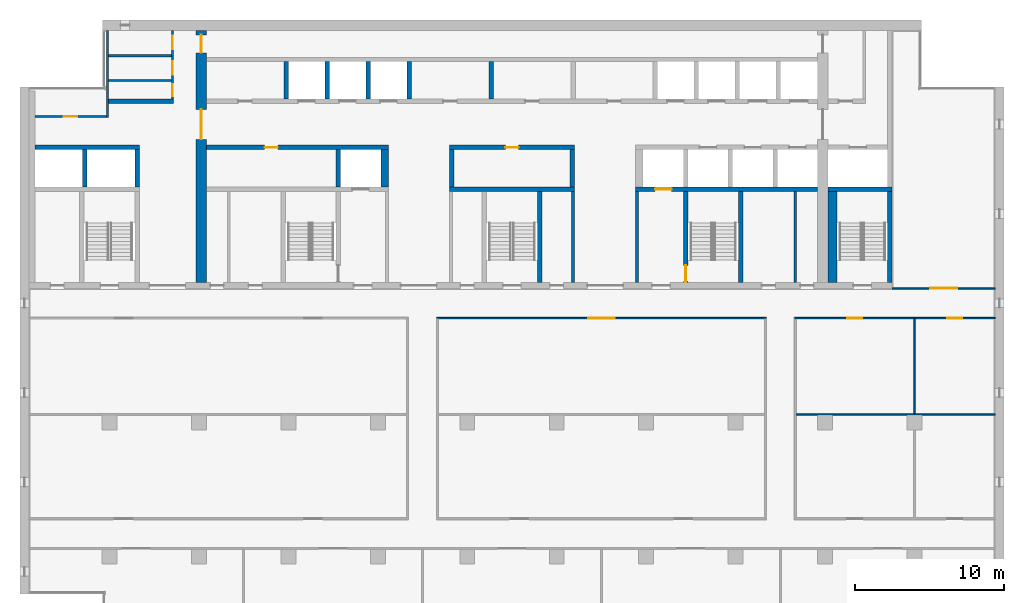
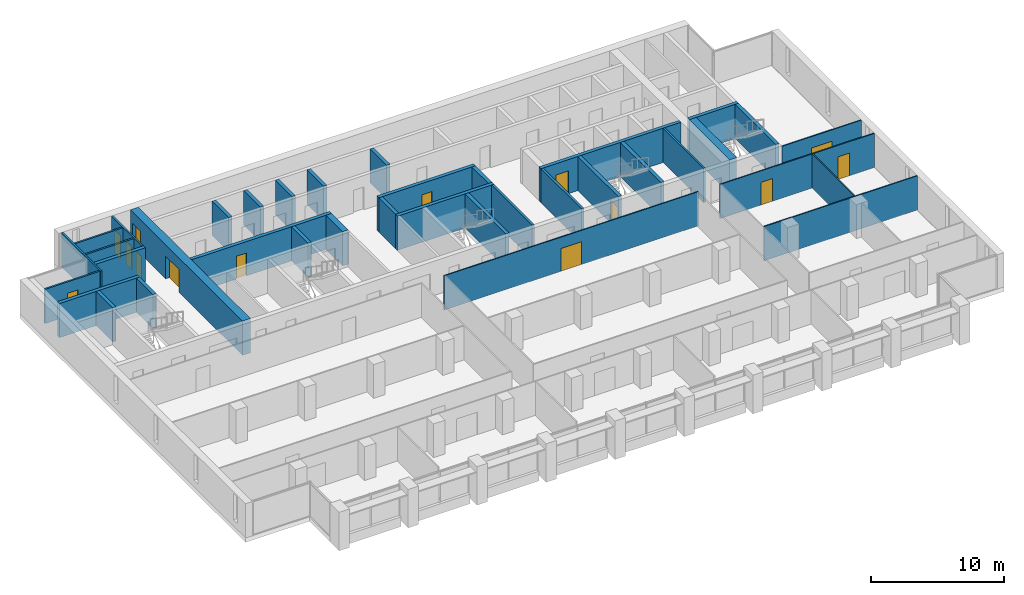
# One storey, part 10 of 16: 37 walls, 14 doors, 14 openings.
"""IFC4 building model written with IfcOpenShell, lengths in metres."""

from ifc_helpers import new_model, si_unit, direction, frame, frame_2d, origin, place, context, subcontext, project, spatial, rectangle, extrude, material, layer, layer_set, type_object, element, fill, save


model = new_model("IFC4")

# Units and contexts
model_context = context("Model", 3, precision=1e-05, world=origin(), true_north=direction((0.0, 1.0)))
body_context = subcontext(model_context, "Body", "Model", "MODEL_VIEW")
ifc_project = project(units=[si_unit("LENGTHUNIT", "METRE"), si_unit("AREAUNIT", "SQUARE_METRE"), si_unit("VOLUMEUNIT", "CUBIC_METRE"), si_unit("PLANEANGLEUNIT", "RADIAN"), si_unit("MASSUNIT", "GRAM", prefix="KILO")], contexts=[model_context])

# Site, building, storey
site_placement = place(None, origin())
site = spatial("IfcSite", under=ifc_project, at=site_placement, CompositionType="ELEMENT")
building_placement = place(site_placement, origin())
building = spatial("IfcBuilding", under=site, at=building_placement, Name="Calvaro Tower", CompositionType="ELEMENT")
storey_placement = place(building_placement, frame((0.0, 0.0, 223.0)))
storey = spatial("IfcBuildingStorey", under=building, at=storey_placement, Name="L56", CompositionType="ELEMENT", Elevation=223.0)

# Walls
ifc_material_1 = material(Name="Blockwork partition", Category="masonry")
ifc_layer_1 = layer(ifc_material_1, 0.14990234375)
ifc_layer_set_1 = layer_set([ifc_layer_1], Name="Blockwork partition")
wall_type_1 = type_object("IfcWallType", Name="Core partition 150 EI 60", PredefinedType="PARTITIONING", material=ifc_layer_set_1)
wall_1_placement = place(storey_placement, frame((58.0, 28.39990234375, 0.0), z_axis=(0.0, 0.0, 1.0), x_axis=(0.0, 1.0, 0.0)))
element("IfcWall", 1, at=wall_1_placement, inside=storey, type_object=wall_type_1, Name="Core partition", PredefinedType="PARTITIONING", context=body_context, shape_type="SweptSolid", body=[
    extrude(rectangle(XDim=6.10009765625, YDim=0.14990234375, at=frame_2d((3.050048828125, 0.0))), origin(), (0.0, 0.0, 1.0), 3.14990234375),
])
for number, where, z_axis, x_axis, name in (
    (2, (11.949951171875, 41.949951171875, 0.0), (0.0, 0.0, 1.0), (1.0, 0.0, 0.0), "Core partition"),
    (3, (11.949951171875, 43.60009765625, 0.0), (0.0, 0.0, 1.0), (1.0, 0.0, 0.0), "Core partition"),
):
    element("IfcWall", number, at=place(storey_placement, frame(where, z_axis=z_axis, x_axis=x_axis)), inside=storey, type_object=wall_type_1, Name=name, PredefinedType="PARTITIONING", context=body_context, shape_type="SweptSolid", body=[
        extrude(rectangle(XDim=4.199951171875, YDim=0.14990234375, at=frame_2d((2.10009765625, 0.0))), origin(), (0.0, 0.0, 1.0), 3.14990234375),
    ])

# Wall, openings, doors
ifc_material_2 = material(Name="Blockwork partition", Category="masonry")
ifc_layer_2 = layer(ifc_material_2, 0.14990234375)
ifc_layer_set_2 = layer_set([ifc_layer_2], Name="Blockwork partition")
wall_type_2 = type_object("IfcWallType", Name="Core partition 150 REI 120", PredefinedType="PARTITIONING", material=ifc_layer_set_2)
wall_2_placement = place(storey_placement, frame((16.22509765625, 45.300048828125, 0.0), z_axis=(0.0, 0.0, 1.0), x_axis=(0.0, -1.0, 0.0)))
wall_2 = element("IfcWall", 4, at=wall_2_placement, inside=storey, type_object=wall_type_2, Name="Core partition", PredefinedType="PARTITIONING", context=body_context, shape_type="SweptSolid", body=[
    extrude(rectangle(XDim=4.60009765625, YDim=0.14990234375, at=frame_2d((2.300048828125, 0.0))), origin(), (0.0, 0.0, 1.0), 3.14990234375),
])
opening_1_placement = place(wall_2_placement, frame((3.612548828125, 0.0, 0.0)))
opening_1 = element("IfcOpeningElement", 5, at=opening_1_placement, cuts=wall_2, Name="Opening RD8C", PredefinedType="OPENING", context=body_context, shape_type="SweptSolid", body=[
    extrude(rectangle(XDim=0.800048828125, YDim=2.10009765625, at=frame_2d((0.39990234375, 1.050048828125))), frame((0.0, 0.0849609375, 0.0), z_axis=(0.0, -1.0, 0.0), x_axis=(1.0, 0.0, 0.0)), (0.0, 0.0, 1.0), 0.169921875),
])
opening_2_placement = place(wall_2_placement, frame((2.074951171875, 0.0, 0.0)))
opening_2 = element("IfcOpeningElement", 6, at=opening_2_placement, cuts=wall_2, Name="Opening RD9", PredefinedType="OPENING", context=body_context, shape_type="SweptSolid", body=[
    extrude(rectangle(XDim=0.89990234375, YDim=2.10009765625, at=frame_2d((0.449951171875, 1.050048828125))), frame((0.0, 0.0849609375, 0.0), z_axis=(0.0, -1.0, 0.0), x_axis=(1.0, 0.0, 0.0)), (0.0, 0.0, 1.0), 0.169921875),
])
opening_3_placement = place(wall_2_placement, frame((0.362548828125, 0.0, 0.0)))
opening_3 = element("IfcOpeningElement", 7, at=opening_3_placement, cuts=wall_2, Name="Opening RD9", PredefinedType="OPENING", context=body_context, shape_type="SweptSolid", body=[
    extrude(rectangle(XDim=0.89990234375, YDim=2.10009765625, at=frame_2d((0.449951171875, 1.050048828125))), frame((0.0, 0.0849609375, 0.0), z_axis=(0.0, -1.0, 0.0), x_axis=(1.0, 0.0, 0.0)), (0.0, 0.0, 1.0), 0.169921875),
])
ifc_material_3 = material(Name="Steel door set", Category="steel")
door_type_1 = type_object("IfcDoorType", Name="Room door 800 FD30", OperationType="SINGLE_SWING_LEFT", PredefinedType="DOOR", material=ifc_material_3)
door_1_placement = place(opening_1_placement, origin())
door_1 = element("IfcDoor", 8, at=door_1_placement, inside=storey, type_object=door_type_1, Name="Room door", OperationType="SINGLE_SWING_RIGHT", OverallHeight=2.10009765625, OverallWidth=0.800048828125, PredefinedType="DOOR", context=body_context, shape_type="SweptSolid", body=[
    extrude(rectangle(XDim=0.800048828125, YDim=2.10009765625, at=frame_2d((0.39990234375, 1.050048828125))), frame((0.0, 0.02490234375, 0.0), z_axis=(0.0, -1.0, 0.0), x_axis=(1.0, 0.0, 0.0)), (0.0, 0.0, 1.0), 0.050048828125),
])
fill(opening_1, door_1)
ifc_material_4 = material(Name="Steel door set", Category="steel")
door_type_2 = type_object("IfcDoorType", Name="Room door 900", OperationType="SINGLE_SWING_LEFT", PredefinedType="DOOR", material=ifc_material_4)
door_2_placement = place(opening_2_placement, origin())
door_2 = element("IfcDoor", 9, at=door_2_placement, inside=storey, type_object=door_type_2, Name="Room door", OperationType="SINGLE_SWING_RIGHT", OverallHeight=2.10009765625, OverallWidth=0.89990234375, PredefinedType="DOOR", context=body_context, shape_type="SweptSolid", body=[
    extrude(rectangle(XDim=0.89990234375, YDim=2.10009765625, at=frame_2d((0.449951171875, 1.050048828125))), frame((0.0, 0.02490234375, 0.0), z_axis=(0.0, -1.0, 0.0), x_axis=(1.0, 0.0, 0.0)), (0.0, 0.0, 1.0), 0.050048828125),
])
fill(opening_2, door_2)
door_3_placement = place(opening_3_placement, origin())
door_3 = element("IfcDoor", 10, at=door_3_placement, inside=storey, type_object=door_type_2, Name="Room door", OperationType="SINGLE_SWING_RIGHT", OverallHeight=2.10009765625, OverallWidth=0.89990234375, PredefinedType="DOOR", context=body_context, shape_type="SweptSolid", body=[
    extrude(rectangle(XDim=0.89990234375, YDim=2.10009765625, at=frame_2d((0.449951171875, 1.050048828125))), frame((0.0, 0.02490234375, 0.0), z_axis=(0.0, -1.0, 0.0), x_axis=(1.0, 0.0, 0.0)), (0.0, 0.0, 1.0), 0.050048828125),
])
fill(opening_3, door_3)

# Wall
wall_3_placement = place(storey_placement, frame((11.875, 39.449951171875, 0.0), z_axis=(0.0, 0.0, 1.0), x_axis=(0.0, 1.0, 0.0)))
element("IfcWall", 11, at=wall_3_placement, inside=storey, type_object=wall_type_2, Name="Core partition", PredefinedType="PARTITIONING", context=body_context, shape_type="SweptSolid", body=[
    extrude(rectangle(XDim=5.85009765625, YDim=0.14990234375, at=frame_2d((2.925048828125, 0.0))), origin(), (0.0, 0.0, 1.0), 3.14990234375),
])

# Wall, opening, door
wall_4_placement = place(storey_placement, frame((7.0, 39.52490234375, 0.0), z_axis=(0.0, 0.0, 1.0), x_axis=(1.0, 0.0, 0.0)))
wall_4 = element("IfcWall", 12, at=wall_4_placement, inside=storey, type_object=wall_type_2, Name="Core partition", PredefinedType="PARTITIONING", context=body_context, shape_type="SweptSolid", body=[
    extrude(rectangle(XDim=4.800048828125, YDim=0.14990234375, at=frame_2d((2.39990234375, 0.0))), origin(), (0.0, 0.0, 1.0), 3.14990234375),
])
opening_4_placement = place(wall_4_placement, frame((1.949951171875, 0.0, 0.0)))
opening_4 = element("IfcOpeningElement", 13, at=opening_4_placement, cuts=wall_4, Name="Opening RD9", PredefinedType="OPENING", context=body_context, shape_type="SweptSolid", body=[
    extrude(rectangle(XDim=0.89990234375, YDim=2.10009765625, at=frame_2d((0.449951171875, 1.050048828125))), frame((0.0, 0.0849609375, 0.0), z_axis=(0.0, -1.0, 0.0), x_axis=(1.0, 0.0, 0.0)), (0.0, 0.0, 1.0), 0.169921875),
])
door_4_placement = place(opening_4_placement, origin())
door_4 = element("IfcDoor", 14, at=door_4_placement, inside=storey, type_object=door_type_2, Name="Room door", OperationType="SINGLE_SWING_LEFT", OverallHeight=2.10009765625, OverallWidth=0.89990234375, PredefinedType="DOOR", context=body_context, shape_type="SweptSolid", body=[
    extrude(rectangle(XDim=0.89990234375, YDim=2.10009765625, at=frame_2d((0.449951171875, 1.050048828125))), frame((0.0, 0.02490234375, 0.0), z_axis=(0.0, -1.0, 0.0), x_axis=(1.0, 0.0, 0.0)), (0.0, 0.0, 1.0), 0.050048828125),
])
fill(opening_4, door_4)

# Walls
ifc_material_5 = material(Name="Blockwork partition", Category="masonry")
ifc_layer_3 = layer(ifc_material_5, 0.199951171875)
ifc_layer_set_3 = layer_set([ifc_layer_3], Name="Blockwork partition")
wall_type_3 = type_object("IfcWallType", Name="Core partition 200 REI 120", PredefinedType="PARTITIONING", material=ifc_layer_set_3)
for number, where, z_axis, x_axis, name in (
    (15, (43.10009765625, 28.39990234375, 0.0), (0.0, 0.0, 1.0), (0.0, 1.0, 0.0), "Core partition"),
    (16, (47.39990234375, 28.39990234375, 0.0), (0.0, 0.0, 1.0), (0.0, 1.0, 0.0), "Core partition"),
):
    element("IfcWall", number, at=place(storey_placement, frame(where, z_axis=z_axis, x_axis=x_axis)), inside=storey, type_object=wall_type_3, Name=name, PredefinedType="PARTITIONING", context=body_context, shape_type="SweptSolid", body=[
        extrude(rectangle(XDim=6.10009765625, YDim=0.199951171875, at=frame_2d((3.050048828125, 0.0))), origin(), (0.0, 0.0, 1.0), 3.14990234375),
    ])
ifc_material_6 = material(Name="Blockwork partition", Category="masonry")
ifc_layer_4 = layer(ifc_material_6, 0.300048828125)
ifc_layer_set_4 = layer_set([ifc_layer_4], Name="Blockwork partition")
wall_type_4 = type_object("IfcWallType", Name="Core partition 300 REI 120", PredefinedType="PARTITIONING", material=ifc_layer_set_4)
wall_5_placement = place(storey_placement, frame((11.949951171875, 40.550048828125, 0.0), z_axis=(0.0, 0.0, 1.0), x_axis=(1.0, 0.0, 0.0)))
element("IfcWall", 17, at=wall_5_placement, inside=storey, type_object=wall_type_4, Name="Core partition", PredefinedType="PARTITIONING", context=body_context, shape_type="SweptSolid", body=[
    extrude(rectangle(XDim=4.35009765625, YDim=0.300048828125, at=frame_2d((2.175048828125, 0.0))), origin(), (0.0, 0.0, 1.0), 3.14990234375),
])
wall_6_placement = place(storey_placement, frame((37.60009765625, 40.699951171875, 0.0), z_axis=(0.0, 0.0, 1.0), x_axis=(0.0, 1.0, 0.0)))
element("IfcWall", 18, at=wall_6_placement, inside=storey, type_object=wall_type_4, Name="Core partition", PredefinedType="PARTITIONING", context=body_context, shape_type="SweptSolid", body=[
    extrude(rectangle(XDim=2.5, YDim=0.300048828125, at=frame_2d((1.25, 0.0))), origin(), (0.0, 0.0, 1.0), 3.14990234375),
])
ifc_material_7 = material(Name="Concrete C50/60", Category="concrete")
ifc_layer_5 = layer(ifc_material_7, 0.300048828125)
ifc_layer_set_5 = layer_set([ifc_layer_5], Name="Concrete C50/60")
wall_type_5 = type_object("IfcWallType", Name="Core wall C50/60 300", PredefinedType="SHEAR", material=ifc_layer_set_5)
wall_7_placement = place(storey_placement, frame((40.85009765625, 28.39990234375, 0.0), z_axis=(0.0, 0.0, 1.0), x_axis=(0.0, 1.0, 0.0)))
element("IfcWall", 19, at=wall_7_placement, inside=storey, type_object=wall_type_5, Name="Core wall, stair enclosure", PredefinedType="SHEAR", context=body_context, shape_type="SweptSolid", body=[
    extrude(rectangle(XDim=6.10009765625, YDim=0.300048828125, at=frame_2d((3.050048828125, 0.0))), origin(), (0.0, 0.0, 1.0), 3.14990234375),
])

# Wall, opening, door
wall_8_placement = place(storey_placement, frame((50.64990234375, 34.5, 0.0), z_axis=(0.0, 0.0, 1.0), x_axis=(0.0, -1.0, 0.0)))
wall_8 = element("IfcWall", 20, at=wall_8_placement, inside=storey, type_object=wall_type_5, Name="Core wall, stair enclosure", PredefinedType="SHEAR", context=body_context, shape_type="SweptSolid", body=[
    extrude(rectangle(XDim=6.10009765625, YDim=0.300048828125, at=frame_2d((3.050048828125, 0.0))), origin(), (0.0, 0.0, 1.0), 3.14990234375),
])
opening_5_placement = place(wall_8_placement, frame((4.949951171875, 0.0, 0.0)))
opening_5 = element("IfcOpeningElement", 21, at=opening_5_placement, cuts=wall_8, Name="Opening FD11D", PredefinedType="OPENING", context=body_context, shape_type="SweptSolid", body=[
    extrude(rectangle(XDim=1.10009765625, YDim=2.10009765625, at=frame_2d((0.550048828125, 1.050048828125))), frame((0.0, 0.159912109375, 0.0), z_axis=(0.0, -1.0, 0.0), x_axis=(1.0, 0.0, 0.0)), (0.0, 0.0, 1.0), 0.320068359375),
])
ifc_material_8 = material(Name="Steel door set", Category="steel")
door_type_3 = type_object("IfcDoorType", Name="Fire door 1100 FD30S", OperationType="SINGLE_SWING_LEFT", PredefinedType="DOOR", material=ifc_material_8)
door_5_placement = place(opening_5_placement, origin())
door_5 = element("IfcDoor", 22, at=door_5_placement, inside=storey, type_object=door_type_3, Name="Fire door", OperationType="SINGLE_SWING_RIGHT", OverallHeight=2.10009765625, OverallWidth=1.10009765625, PredefinedType="DOOR", context=body_context, shape_type="SweptSolid", body=[
    extrude(rectangle(XDim=1.10009765625, YDim=2.10009765625, at=frame_2d((0.550048828125, 1.050048828125))), frame((0.0, 0.02490234375, 0.0), z_axis=(0.0, -1.0, 0.0), x_axis=(1.0, 0.0, 0.0)), (0.0, 0.0, 1.0), 0.050048828125),
])
fill(opening_5, door_5)

# Walls
for number, where, z_axis, x_axis, name in (
    (23, (54.35009765625, 28.39990234375, 0.0), (0.0, 0.0, 1.0), (0.0, 1.0, 0.0), "Core wall, stair enclosure"),
    (24, (64.35009765625, 28.39990234375, 0.0), (0.0, 0.0, 1.0), (0.0, 1.0, 0.0), "Core wall, stair enclosure"),
):
    element("IfcWall", number, at=place(storey_placement, frame(where, z_axis=z_axis, x_axis=x_axis)), inside=storey, type_object=wall_type_5, Name=name, PredefinedType="SHEAR", context=body_context, shape_type="SweptSolid", body=[
        extrude(rectangle(XDim=6.10009765625, YDim=0.300048828125, at=frame_2d((3.050048828125, 0.0))), origin(), (0.0, 0.0, 1.0), 3.14990234375),
    ])
wall_9_placement = place(storey_placement, frame((34.800048828125, 34.64990234375, 0.0), z_axis=(0.0, 0.0, 1.0), x_axis=(1.0, 0.0, 0.0)))
element("IfcWall", 25, at=wall_9_placement, inside=storey, type_object=wall_type_5, Name="Core wall, lift shaft", PredefinedType="SHEAR", context=body_context, shape_type="SweptSolid", body=[
    extrude(rectangle(XDim=8.39990234375, YDim=0.300048828125, at=frame_2d((4.199951171875, 0.0))), origin(), (0.0, 0.0, 1.0), 3.14990234375),
])

# Wall, opening, door
wall_10_placement = place(storey_placement, frame((47.300048828125, 34.64990234375, 0.0), z_axis=(0.0, 0.0, 1.0), x_axis=(1.0, 0.0, 0.0)))
wall_10 = element("IfcWall", 26, at=wall_10_placement, inside=storey, type_object=wall_type_5, Name="Core wall, lift shaft", PredefinedType="SHEAR", context=body_context, shape_type="SweptSolid", body=[
    extrude(rectangle(XDim=12.199951171875, YDim=0.300048828125, at=frame_2d((6.10009765625, 0.0))), origin(), (0.0, 0.0, 1.0), 3.14990234375),
])
opening_6_placement = place(wall_10_placement, frame((1.300048828125, 0.0, 0.0)))
opening_6 = element("IfcOpeningElement", 27, at=opening_6_placement, cuts=wall_10, Name="Opening FF2", PredefinedType="OPENING", context=body_context, shape_type="SweptSolid", body=[
    extrude(rectangle(XDim=1.10009765625, YDim=2.10009765625, at=frame_2d((0.550048828125, 1.050048828125))), frame((0.0, 0.159912109375, 0.0), z_axis=(0.0, -1.0, 0.0), x_axis=(1.0, 0.0, 0.0)), (0.0, 0.0, 1.0), 0.320068359375),
])
ifc_material_9 = material(Name="Stainless steel", Category="steel")
door_type_4 = type_object("IfcDoorType", Name="Landing door 1100 E 60", OperationType="SLIDING_TO_LEFT", PredefinedType="DOOR", material=ifc_material_9)
door_6_placement = place(opening_6_placement, origin())
door_6 = element("IfcDoor", 28, at=door_6_placement, inside=storey, type_object=door_type_4, Name="Landing door FF2", OperationType="SLIDING_TO_LEFT", OverallHeight=2.10009765625, OverallWidth=1.10009765625, PredefinedType="DOOR", context=body_context, shape_type="SweptSolid", body=[
    extrude(rectangle(XDim=1.10009765625, YDim=2.10009765625, at=frame_2d((0.550048828125, 1.050048828125))), frame((0.0, 0.02490234375, 0.0), z_axis=(0.0, -1.0, 0.0), x_axis=(1.0, 0.0, 0.0)), (0.0, 0.0, 1.0), 0.050048828125),
])
fill(opening_6, door_6)

# Walls
wall_11_placement = place(storey_placement, frame((60.199951171875, 34.64990234375, 0.0), z_axis=(0.0, 0.0, 1.0), x_axis=(1.0, 0.0, 0.0)))
element("IfcWall", 29, at=wall_11_placement, inside=storey, type_object=wall_type_5, Name="Core wall, lift shaft", PredefinedType="SHEAR", context=body_context, shape_type="SweptSolid", body=[
    extrude(rectangle(XDim=4.300048828125, YDim=0.300048828125, at=frame_2d((2.14990234375, 0.0))), origin(), (0.0, 0.0, 1.0), 3.14990234375),
])
wall_12_placement = place(storey_placement, frame((7.0, 37.449951171875, 0.0), z_axis=(0.0, 0.0, 1.0), x_axis=(1.0, 0.0, 0.0)))
element("IfcWall", 30, at=wall_12_placement, inside=storey, type_object=wall_type_5, Name="Core wall, lift shaft", PredefinedType="SHEAR", context=body_context, shape_type="SweptSolid", body=[
    extrude(rectangle(XDim=7.0, YDim=0.300048828125, at=frame_2d((3.5, 0.0))), origin(), (0.0, 0.0, 1.0), 3.14990234375),
])

# Wall, opening, door
wall_13_placement = place(storey_placement, frame((30.699951171875, 37.449951171875, 0.0), z_axis=(0.0, 0.0, 1.0), x_axis=(-1.0, 0.0, 0.0)))
wall_13 = element("IfcWall", 31, at=wall_13_placement, inside=storey, type_object=wall_type_5, Name="Core wall, bay", PredefinedType="SHEAR", context=body_context, shape_type="SweptSolid", body=[
    extrude(rectangle(XDim=12.199951171875, YDim=0.300048828125, at=frame_2d((6.10009765625, 0.0))), origin(), (0.0, 0.0, 1.0), 3.14990234375),
])
opening_7_placement = place(wall_13_placement, frame((7.39990234375, 0.0, 0.0)))
opening_7 = element("IfcOpeningElement", 32, at=opening_7_placement, cuts=wall_13, Name="Opening RD9E", PredefinedType="OPENING", context=body_context, shape_type="SweptSolid", body=[
    extrude(rectangle(XDim=0.89990234375, YDim=2.10009765625, at=frame_2d((0.449951171875, 1.050048828125))), frame((0.0, 0.159912109375, 0.0), z_axis=(0.0, -1.0, 0.0), x_axis=(1.0, 0.0, 0.0)), (0.0, 0.0, 1.0), 0.320068359375),
])
ifc_material_10 = material(Name="Steel door set", Category="steel")
door_type_5 = type_object("IfcDoorType", Name="Room door 900 FD60", OperationType="SINGLE_SWING_LEFT", PredefinedType="DOOR", material=ifc_material_10)
door_7_placement = place(opening_7_placement, origin())
door_7 = element("IfcDoor", 33, at=door_7_placement, inside=storey, type_object=door_type_5, Name="Room door", OperationType="SINGLE_SWING_LEFT", OverallHeight=2.10009765625, OverallWidth=0.89990234375, PredefinedType="DOOR", context=body_context, shape_type="SweptSolid", body=[
    extrude(rectangle(XDim=0.89990234375, YDim=2.10009765625, at=frame_2d((0.449951171875, 1.050048828125))), frame((0.0, 0.02490234375, 0.0), z_axis=(0.0, -1.0, 0.0), x_axis=(1.0, 0.0, 0.0)), (0.0, 0.0, 1.0), 0.050048828125),
])
fill(opening_7, door_7)

wall_14_placement = place(storey_placement, frame((43.199951171875, 37.449951171875, 0.0), z_axis=(0.0, 0.0, 1.0), x_axis=(-1.0, 0.0, 0.0)))
wall_14 = element("IfcWall", 34, at=wall_14_placement, inside=storey, type_object=wall_type_5, Name="Core wall, bay", PredefinedType="SHEAR", context=body_context, shape_type="SweptSolid", body=[
    extrude(rectangle(XDim=8.39990234375, YDim=0.300048828125, at=frame_2d((4.199951171875, 0.0))), origin(), (0.0, 0.0, 1.0), 3.14990234375),
])
opening_8_placement = place(wall_14_placement, frame((3.75, 0.0, 0.0)))
opening_8 = element("IfcOpeningElement", 35, at=opening_8_placement, cuts=wall_14, Name="Opening RD9E", PredefinedType="OPENING", context=body_context, shape_type="SweptSolid", body=[
    extrude(rectangle(XDim=0.89990234375, YDim=2.10009765625, at=frame_2d((0.449951171875, 1.050048828125))), frame((0.0, 0.159912109375, 0.0), z_axis=(0.0, -1.0, 0.0), x_axis=(1.0, 0.0, 0.0)), (0.0, 0.0, 1.0), 0.320068359375),
])
door_8_placement = place(opening_8_placement, origin())
door_8 = element("IfcDoor", 36, at=door_8_placement, inside=storey, type_object=door_type_5, Name="Room door", OperationType="SINGLE_SWING_RIGHT", OverallHeight=2.10009765625, OverallWidth=0.89990234375, PredefinedType="DOOR", context=body_context, shape_type="SweptSolid", body=[
    extrude(rectangle(XDim=0.89990234375, YDim=2.10009765625, at=frame_2d((0.449951171875, 1.050048828125))), frame((0.0, 0.02490234375, 0.0), z_axis=(0.0, -1.0, 0.0), x_axis=(1.0, 0.0, 0.0)), (0.0, 0.0, 1.0), 0.050048828125),
])
fill(opening_8, door_8)

# Walls
for number, where, z_axis, x_axis, name in (
    (37, (27.35009765625, 34.800048828125, 0.0), (0.0, 0.0, 1.0), (0.0, 1.0, 0.0), "Core wall, lift shaft"),
    (38, (34.949951171875, 34.800048828125, 0.0), (0.0, 0.0, 1.0), (0.0, 1.0, 0.0), "Core wall, lift shaft"),
    (39, (43.050048828125, 34.800048828125, 0.0), (0.0, 0.0, 1.0), (0.0, 1.0, 0.0), "Core wall, lift shaft"),
    (40, (13.85009765625, 34.800048828125, 0.0), (0.0, 0.0, 1.0), (0.0, 1.0, 0.0), "Core wall, lift shaft"),
    (41, (23.85009765625, 40.699951171875, 0.0), (0.0, 0.0, 1.0), (0.0, 1.0, 0.0), "Core wall, lift shaft"),
    (42, (26.60009765625, 40.699951171875, 0.0), (0.0, 0.0, 1.0), (0.0, 1.0, 0.0), "Core wall, lift shaft"),
    (43, (29.35009765625, 40.699951171875, 0.0), (0.0, 0.0, 1.0), (0.0, 1.0, 0.0), "Core wall, lift shaft"),
    (44, (32.10009765625, 40.699951171875, 0.0), (0.0, 0.0, 1.0), (0.0, 1.0, 0.0), "Core wall, lift shaft"),
    (45, (10.35009765625, 34.800048828125, 0.0), (0.0, 0.0, 1.0), (0.0, 1.0, 0.0), "Core wall, lift shaft"),
):
    element("IfcWall", number, at=place(storey_placement, frame(where, z_axis=z_axis, x_axis=x_axis)), inside=storey, type_object=wall_type_5, Name=name, PredefinedType="SHEAR", context=body_context, shape_type="SweptSolid", body=[
        extrude(rectangle(XDim=2.5, YDim=0.300048828125, at=frame_2d((1.25, 0.0))), origin(), (0.0, 0.0, 1.0), 3.14990234375),
    ])
ifc_material_11 = material(Name="Concrete C50/60", Category="concrete")
ifc_layer_6 = layer(ifc_material_11, 0.5)
ifc_layer_set_6 = layer_set([ifc_layer_6], Name="Concrete C50/60")
wall_type_6 = type_object("IfcWallType", Name="Core wall C50/60 500", PredefinedType="SHEAR", material=ifc_layer_set_6)
wall_15_placement = place(storey_placement, frame((30.449951171875, 34.800048828125, 0.0), z_axis=(0.0, 0.0, 1.0), x_axis=(0.0, 1.0, 0.0)))
element("IfcWall", 46, at=wall_15_placement, inside=storey, type_object=wall_type_6, Name="Core wall, lift shaft", PredefinedType="SHEAR", context=body_context, shape_type="SweptSolid", body=[
    extrude(rectangle(XDim=2.5, YDim=0.5, at=frame_2d((1.25, 0.0))), origin(), (0.0, 0.0, 1.0), 3.14990234375),
])
ifc_material_12 = material(Name="Concrete C50/60", Category="concrete")
ifc_layer_7 = layer(ifc_material_12, 0.60009765625)
ifc_layer_set_7 = layer_set([ifc_layer_7], Name="Concrete C50/60")
wall_type_7 = type_object("IfcWallType", Name="Core wall C50/60 600", PredefinedType="SHEAR", material=ifc_layer_set_7)
wall_16_placement = place(storey_placement, frame((60.5, 28.39990234375, 0.0), z_axis=(0.0, 0.0, 1.0), x_axis=(0.0, 1.0, 0.0)))
element("IfcWall", 47, at=wall_16_placement, inside=storey, type_object=wall_type_7, Name="Core wall, stair enclosure", PredefinedType="SHEAR", context=body_context, shape_type="SweptSolid", body=[
    extrude(rectangle(XDim=6.10009765625, YDim=0.60009765625, at=frame_2d((3.050048828125, 0.0))), origin(), (0.0, 0.0, 1.0), 3.14990234375),
])

# Wall, openings, doors
ifc_material_13 = material(Name="Concrete C50/60", Category="concrete")
ifc_layer_8 = layer(ifc_material_13, 0.699951171875)
ifc_layer_set_8 = layer_set([ifc_layer_8], Name="Concrete C50/60")
wall_type_8 = type_object("IfcWallType", Name="Core wall C50/60 700", PredefinedType="SHEAR", material=ifc_layer_set_8)
wall_17_placement = place(storey_placement, frame((18.14990234375, 28.39990234375, 0.0), z_axis=(0.0, 0.0, 1.0), x_axis=(0.0, 1.0, 0.0)))
wall_17 = element("IfcWall", 48, at=wall_17_placement, inside=storey, type_object=wall_type_8, Name="Core wall, cross shear wall", PredefinedType="SHEAR", context=body_context, shape_type="SweptSolid", body=[
    extrude(rectangle(XDim=16.900146484375, YDim=0.699951171875, at=frame_2d((8.4501953125, 0.0))), origin(), (0.0, 0.0, 1.0), 3.14990234375),
])
opening_9_placement = place(wall_17_placement, frame((9.60009765625, 0.0, 0.0)))
opening_9 = element("IfcOpeningElement", 49, at=opening_9_placement, cuts=wall_17, Name="Opening DD20D", PredefinedType="OPENING", context=body_context, shape_type="SweptSolid", body=[
    extrude(rectangle(XDim=2.0, YDim=2.10009765625, at=frame_2d((1.0, 1.050048828125))), frame((0.0, 0.35986328125, 0.0), z_axis=(0.0, -1.0, 0.0), x_axis=(1.0, 0.0, 0.0)), (0.0, 0.0, 1.0), 0.719970703125),
])
opening_10_placement = place(wall_17_placement, frame((15.39990234375, 0.0, 0.0)))
opening_10 = element("IfcOpeningElement", 50, at=opening_10_placement, cuts=wall_17, Name="Opening FD12C", PredefinedType="OPENING", context=body_context, shape_type="SweptSolid", body=[
    extrude(rectangle(XDim=1.199951171875, YDim=2.10009765625, at=frame_2d((0.60009765625, 1.050048828125))), frame((0.0, 0.35986328125, 0.0), z_axis=(0.0, -1.0, 0.0), x_axis=(1.0, 0.0, 0.0)), (0.0, 0.0, 1.0), 0.719970703125),
])
ifc_material_14 = material(Name="Steel door set", Category="steel")
door_type_6 = type_object("IfcDoorType", Name="Fire door 1200 FD30", OperationType="SINGLE_SWING_LEFT", PredefinedType="DOOR", material=ifc_material_14)
door_9_placement = place(opening_10_placement, origin())
door_9 = element("IfcDoor", 51, at=door_9_placement, inside=storey, type_object=door_type_6, Name="Fire door", OperationType="SINGLE_SWING_LEFT", OverallHeight=2.10009765625, OverallWidth=1.199951171875, PredefinedType="DOOR", context=body_context, shape_type="SweptSolid", body=[
    extrude(rectangle(XDim=1.199951171875, YDim=2.10009765625, at=frame_2d((0.60009765625, 1.050048828125))), frame((0.0, 0.02490234375, 0.0), z_axis=(0.0, -1.0, 0.0), x_axis=(1.0, 0.0, 0.0)), (0.0, 0.0, 1.0), 0.050048828125),
])
fill(opening_10, door_9)
ifc_material_15 = material(Name="Steel door set", Category="steel")
door_type_7 = type_object("IfcDoorType", Name="Lobby double door 2000 FD30S", OperationType="DOUBLE_DOOR_SINGLE_SWING", PredefinedType="DOOR", material=ifc_material_15)
door_10_placement = place(opening_9_placement, origin())
door_10 = element("IfcDoor", 52, at=door_10_placement, inside=storey, type_object=door_type_7, Name="Lobby double door", OperationType="DOUBLE_DOOR_SINGLE_SWING", OverallHeight=2.10009765625, OverallWidth=2.0, PredefinedType="DOOR", context=body_context, shape_type="SweptSolid", body=[
    extrude(rectangle(XDim=2.0, YDim=2.10009765625, at=frame_2d((1.0, 1.050048828125))), frame((0.0, 0.02490234375, 0.0), z_axis=(0.0, -1.0, 0.0), x_axis=(1.0, 0.0, 0.0)), (0.0, 0.0, 1.0), 0.050048828125),
])
fill(opening_9, door_10)

# Wall
ifc_material_16 = material(Name="Plasterboard on steel studs", Category="steel")
ifc_layer_9 = layer(ifc_material_16, 0.10009765625)
ifc_layer_set_9 = layer_set([ifc_layer_9], Name="Plasterboard on steel studs")
wall_type_9 = type_object("IfcWallType", Name="Partition 100", PredefinedType="PARTITIONING", material=ifc_layer_set_9)
wall_18_placement = place(storey_placement, frame((58.050048828125, 19.550048828125, 0.0), z_axis=(0.0, 0.0, 1.0), x_axis=(1.0, 0.0, 0.0)))
element("IfcWall", 53, at=wall_18_placement, inside=storey, type_object=wall_type_9, Name="Partition T32.W007", PredefinedType="PARTITIONING", context=body_context, shape_type="SweptSolid", body=[
    extrude(rectangle(XDim=13.349853515625, YDim=0.10009765625, at=frame_2d((6.6748046875, 0.0))), origin(), (0.0, 0.0, 1.0), 3.14990234375),
])

# Wall, opening, door
wall_19_placement = place(storey_placement, frame((33.949951171875, 26.0, 0.0), z_axis=(0.0, 0.0, 1.0), x_axis=(1.0, 0.0, 0.0)))
wall_19 = element("IfcWall", 54, at=wall_19_placement, inside=storey, type_object=wall_type_9, Name="Partition T32.W009", PredefinedType="PARTITIONING", context=body_context, shape_type="SweptSolid", body=[
    extrude(rectangle(XDim=22.10009765625, YDim=0.10009765625, at=frame_2d((11.050048828125, 0.0))), origin(), (0.0, 0.0, 1.0), 3.14990234375),
])
opening_11_placement = place(wall_19_placement, frame((10.14990234375, 0.0, 0.0)))
opening_11 = element("IfcOpeningElement", 55, at=opening_11_placement, cuts=wall_19, Name="Opening T32.014", PredefinedType="OPENING", context=body_context, shape_type="SweptSolid", body=[
    extrude(rectangle(XDim=1.800048828125, YDim=2.10009765625, at=frame_2d((0.89990234375, 1.050048828125))), frame((0.0, 0.06005859375, 0.0), z_axis=(0.0, -1.0, 0.0), x_axis=(1.0, 0.0, 0.0)), (0.0, 0.0, 1.0), 0.1201171875),
])
ifc_material_17 = material(Name="Timber", Category="wood")
door_type_8 = type_object("IfcDoorType", Name="Internal double door 1800 x 2100", OperationType="DOUBLE_DOOR_SINGLE_SWING", PredefinedType="DOOR", material=ifc_material_17)
door_11_placement = place(opening_11_placement, origin())
door_11 = element("IfcDoor", 56, at=door_11_placement, inside=storey, type_object=door_type_8, Name="Door T32.014", OperationType="DOUBLE_DOOR_SINGLE_SWING", OverallHeight=2.10009765625, OverallWidth=1.800048828125, PredefinedType="DOOR", context=body_context, shape_type="SweptSolid", body=[
    extrude(rectangle(XDim=1.800048828125, YDim=2.10009765625, at=frame_2d((0.89990234375, 1.050048828125))), frame((0.0, 0.02490234375, 0.0), z_axis=(0.0, -1.0, 0.0), x_axis=(1.0, 0.0, 0.0)), (0.0, 0.0, 1.0), 0.050048828125),
])
fill(opening_11, door_11)

# Wall, openings, doors
wall_20_placement = place(storey_placement, frame((57.949951171875, 26.0, 0.0), z_axis=(0.0, 0.0, 1.0), x_axis=(1.0, 0.0, 0.0)))
wall_20 = element("IfcWall", 57, at=wall_20_placement, inside=storey, type_object=wall_type_9, Name="Partition T32.W010", PredefinedType="PARTITIONING", context=body_context, shape_type="SweptSolid", body=[
    extrude(rectangle(XDim=13.449951171875, YDim=0.10009765625, at=frame_2d((6.72509765625, 0.0))), origin(), (0.0, 0.0, 1.0), 3.14990234375),
])
opening_12_placement = place(wall_20_placement, frame((3.550048828125, 0.0, 0.0)))
opening_12 = element("IfcOpeningElement", 58, at=opening_12_placement, cuts=wall_20, Name="Opening T32.015", PredefinedType="OPENING", context=body_context, shape_type="SweptSolid", body=[
    extrude(rectangle(XDim=1.0, YDim=2.10009765625, at=frame_2d((0.5, 1.050048828125))), frame((0.0, 0.06005859375, 0.0), z_axis=(0.0, -1.0, 0.0), x_axis=(1.0, 0.0, 0.0)), (0.0, 0.0, 1.0), 0.1201171875),
])
opening_13_placement = place(wall_20_placement, frame((10.25, 0.0, 0.0)))
opening_13 = element("IfcOpeningElement", 59, at=opening_13_placement, cuts=wall_20, Name="Opening T32.016", PredefinedType="OPENING", context=body_context, shape_type="SweptSolid", body=[
    extrude(rectangle(XDim=1.0, YDim=2.10009765625, at=frame_2d((0.5, 1.050048828125))), frame((0.0, 0.06005859375, 0.0), z_axis=(0.0, -1.0, 0.0), x_axis=(1.0, 0.0, 0.0)), (0.0, 0.0, 1.0), 0.1201171875),
])
ifc_material_18 = material(Name="Timber", Category="wood")
door_type_9 = type_object("IfcDoorType", Name="Internal single door 1000 x 2100", OperationType="SINGLE_SWING_LEFT", PredefinedType="DOOR", material=ifc_material_18)
door_12_placement = place(opening_12_placement, origin())
door_12 = element("IfcDoor", 60, at=door_12_placement, inside=storey, type_object=door_type_9, Name="Door T32.015", OperationType="SINGLE_SWING_LEFT", OverallHeight=2.10009765625, OverallWidth=1.0, PredefinedType="DOOR", context=body_context, shape_type="SweptSolid", body=[
    extrude(rectangle(XDim=1.0, YDim=2.10009765625, at=frame_2d((0.5, 1.050048828125))), frame((0.0, 0.02490234375, 0.0), z_axis=(0.0, -1.0, 0.0), x_axis=(1.0, 0.0, 0.0)), (0.0, 0.0, 1.0), 0.050048828125),
])
fill(opening_12, door_12)
door_13_placement = place(opening_13_placement, origin())
door_13 = element("IfcDoor", 61, at=door_13_placement, inside=storey, type_object=door_type_9, Name="Door T32.016", OperationType="SINGLE_SWING_RIGHT", OverallHeight=2.10009765625, OverallWidth=1.0, PredefinedType="DOOR", context=body_context, shape_type="SweptSolid", body=[
    extrude(rectangle(XDim=1.0, YDim=2.10009765625, at=frame_2d((0.5, 1.050048828125))), frame((0.0, 0.02490234375, 0.0), z_axis=(0.0, -1.0, 0.0), x_axis=(1.0, 0.0, 0.0)), (0.0, 0.0, 1.0), 0.050048828125),
])
fill(opening_13, door_13)

# Wall, opening, door
wall_21_placement = place(storey_placement, frame((64.5, 28.0, 0.0), z_axis=(0.0, 0.0, 1.0), x_axis=(1.0, 0.0, 0.0)))
wall_21 = element("IfcWall", 62, at=wall_21_placement, inside=storey, type_object=wall_type_9, Name="Partition T32.W011", PredefinedType="PARTITIONING", context=body_context, shape_type="SweptSolid", body=[
    extrude(rectangle(XDim=6.89990234375, YDim=0.10009765625, at=frame_2d((3.449951171875, 0.0))), origin(), (0.0, 0.0, 1.0), 3.14990234375),
])
opening_14_placement = place(wall_21_placement, frame((2.550048828125, 0.0, 0.0)))
opening_14 = element("IfcOpeningElement", 63, at=opening_14_placement, cuts=wall_21, Name="Opening T32.017", PredefinedType="OPENING", context=body_context, shape_type="SweptSolid", body=[
    extrude(rectangle(XDim=1.800048828125, YDim=2.10009765625, at=frame_2d((0.89990234375, 1.050048828125))), frame((0.0, 0.06005859375, 0.0), z_axis=(0.0, -1.0, 0.0), x_axis=(1.0, 0.0, 0.0)), (0.0, 0.0, 1.0), 0.1201171875),
])
door_14_placement = place(opening_14_placement, origin())
door_14 = element("IfcDoor", 64, at=door_14_placement, inside=storey, type_object=door_type_8, Name="Door T32.017", OperationType="DOUBLE_DOOR_SINGLE_SWING", OverallHeight=2.10009765625, OverallWidth=1.800048828125, PredefinedType="DOOR", context=body_context, shape_type="SweptSolid", body=[
    extrude(rectangle(XDim=1.800048828125, YDim=2.10009765625, at=frame_2d((0.89990234375, 1.050048828125))), frame((0.0, 0.02490234375, 0.0), z_axis=(0.0, -1.0, 0.0), x_axis=(1.0, 0.0, 0.0)), (0.0, 0.0, 1.0), 0.050048828125),
])
fill(opening_14, door_14)

# Wall
wall_22_placement = place(storey_placement, frame((66.0, 19.60009765625, 0.0), z_axis=(0.0, 0.0, 1.0), x_axis=(0.0, 1.0, 0.0)))
element("IfcWall", 65, at=wall_22_placement, inside=storey, type_object=wall_type_9, Name="Partition T32.W021", PredefinedType="PARTITIONING", context=body_context, shape_type="SweptSolid", body=[
    extrude(rectangle(XDim=6.349853515625, YDim=0.10009765625, at=frame_2d((3.1748046875, 0.0))), origin(), (0.0, 0.0, 1.0), 3.14990234375),
])

save(model, "model.ifc")
